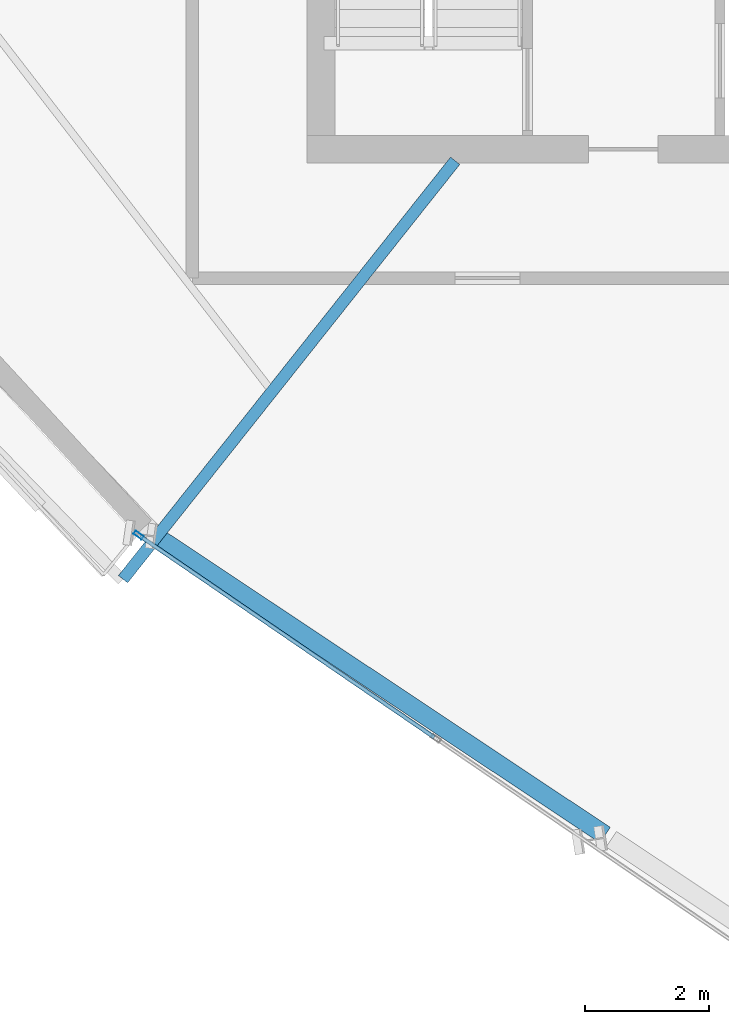
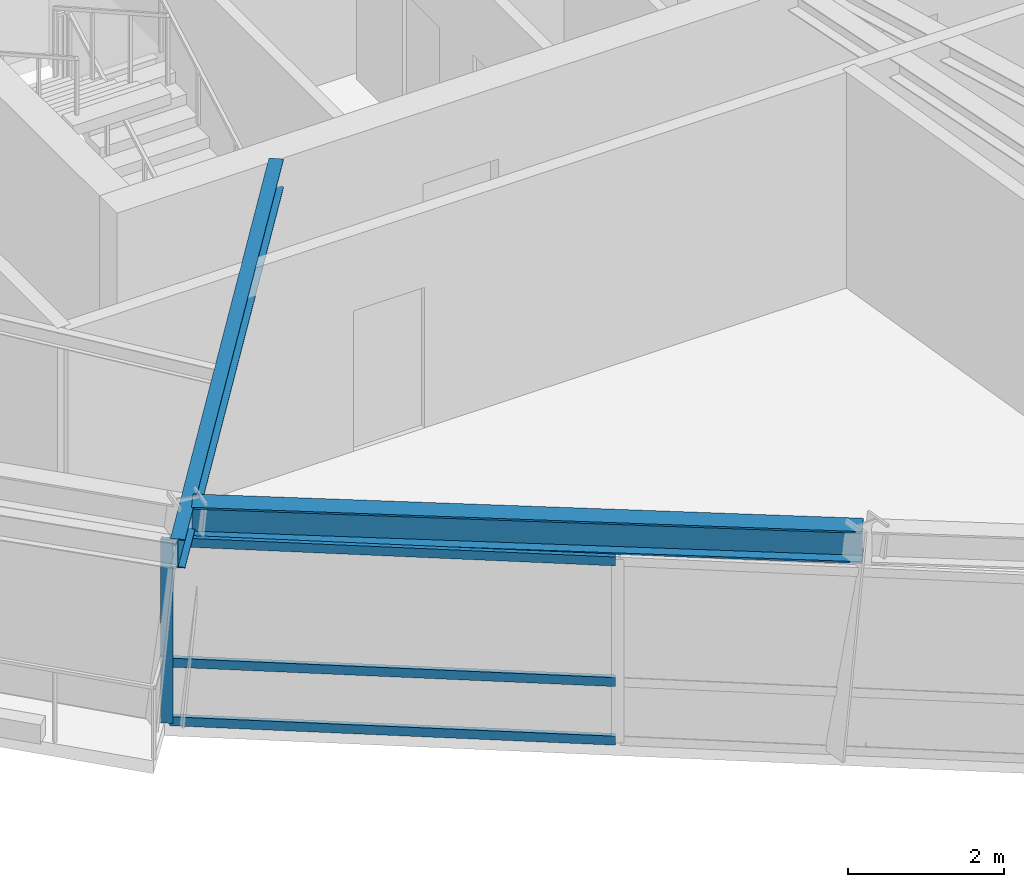
# One storey, part 2 of 13: 4 members, 2 beams, 1 element without a shape of its own.
"""IFC4 building model written with IfcOpenShell, lengths in metres."""

from ifc_helpers import new_model, si_unit, direction, frame, origin, origin_2d, place, context, subcontext, project, spatial, hollow_rectangle, i_section, extrude, source, transform, mapped, material, material_profile, profile_set, type_object, element, aggregate, save


model = new_model("IFC4")

# Units and contexts
model_context = context("Model", 3, precision=1e-05, world=origin(), true_north=direction((0.0, 1.0)))
body_context = subcontext(model_context, "Body", "Model", "MODEL_VIEW")
ifc_project = project(units=[si_unit("LENGTHUNIT", "METRE"), si_unit("AREAUNIT", "SQUARE_METRE"), si_unit("VOLUMEUNIT", "CUBIC_METRE"), si_unit("PLANEANGLEUNIT", "RADIAN"), si_unit("MASSUNIT", "GRAM", prefix="KILO")], contexts=[model_context])

# Site, building, storey
site_placement = place(None, origin())
site = spatial("IfcSite", under=ifc_project, at=site_placement, CompositionType="ELEMENT")
building_placement = place(site_placement, origin())
building = spatial("IfcBuilding", under=site, at=building_placement, Name="Olszyna Solenne Hotel", CompositionType="ELEMENT")
storey_placement = place(building_placement, frame((0.0, 0.0, 241.699951171875)))
storey = spatial("IfcBuildingStorey", under=building, at=storey_placement, Name="L64", CompositionType="ELEMENT", Elevation=241.699951171875)

# Beams
ifc_material_1 = material(Name="Steel S355J2", Category="steel")
ifc_material_profile_1 = material_profile(ifc_material_1, i_section(OverallWidth=0.300048828125, OverallDepth=0.5, WebThickness=0.014404296875, FlangeThickness=0.028076171875, at=origin_2d()), Name="HEB 500", Category="load-bearing")
ifc_profile_set_1 = profile_set([ifc_material_profile_1], Name="Steel S355J2")
beam_type_1 = type_object("IfcBeamType", Name="BM-S3", PredefinedType="BEAM", material=ifc_profile_set_1)
shared_shape_1 = source(origin(), body_context, "Body", "SweptSolid", [
    extrude(i_section(OverallWidth=0.300048828125, OverallDepth=0.5, WebThickness=0.014404296875, FlangeThickness=0.028076171875, at=origin_2d()), origin(), (0.0, 0.0, 1.0), 8.616943359375),
])
beam_1_placement = place(storey_placement, frame((27.272705078125, 13.00048828125, 3.130126953125), z_axis=(0.832694842941, -0.553732154149, 0.0), x_axis=(0.553732154149, 0.832694842941, 0.0)))
element("IfcBeam", 1, at=beam_1_placement, inside=storey, type_object=beam_type_1, Name="Perimeter spandrel beam BM-S3 B-L64-1889", PredefinedType="BEAM", context=body_context, shape_type="MappedRepresentation", body=[
    mapped(shared_shape_1, transform((0.0, 0.0, 0.0), x_axis=(1.0, 0.0, 0.0), y_axis=(0.0, 1.0, 0.0), z_axis=(0.0, 0.0, 1.0), scale=1.0)),
])
ifc_material_profile_2 = material_profile(ifc_material_1, i_section(OverallWidth=0.18994140625, OverallDepth=0.449951171875, WebThickness=0.009521484375, FlangeThickness=0.0146484375, at=origin_2d()), Name="IPE 450", Category="load-bearing")
ifc_profile_set_2 = profile_set([ifc_material_profile_2], Name="Steel S355J2")
beam_type_2 = type_object("IfcBeamType", Name="BM-F4", PredefinedType="BEAM", material=ifc_profile_set_2)
shared_shape_2 = source(origin(), body_context, "Body", "SweptSolid", [
    extrude(i_section(OverallWidth=0.18994140625, OverallDepth=0.449951171875, WebThickness=0.009521484375, FlangeThickness=0.0146484375, at=origin_2d()), origin(), (0.0, 0.0, 1.0), 8.604248046875),
])
beam_2_placement = place(storey_placement, frame((26.683349609375, 12.350341796875, 3.155029296875), z_axis=(0.621773636596, 0.78319700257, 0.0), x_axis=(-0.78319700257, 0.621773636596, 0.0)))
element("IfcBeam", 2, at=beam_2_placement, inside=storey, type_object=beam_type_2, Name="Radial floor girder BM-F4 B-L64-1900", PredefinedType="BEAM", context=body_context, shape_type="MappedRepresentation", body=[
    mapped(shared_shape_2, transform((0.0, 0.0, 0.0), x_axis=(1.0, 0.0, 0.0), y_axis=(0.0, 1.0, 0.0), z_axis=(0.0, 0.0, 1.0), scale=1.0)),
])

# Curtain wall, members
ifc_material_2 = material(Name="Anodised bronze aluminium", Category="aluminium")
curtain_wall_type = type_object("IfcCurtainWallType", Name="CW-SYS-4", PredefinedType="NOTDEFINED", material=ifc_material_2)
curtain_wall_placement = place(storey_placement, origin())
curtain_wall = element("IfcCurtainWall", 3, at=curtain_wall_placement, inside=storey, type_object=curtain_wall_type, Name="Unitised curtain wall CW-SYS-4 CW-L64-01", PredefinedType="NOTDEFINED")
ifc_material_profile_3 = material_profile(ifc_material_2, hollow_rectangle(XDim=0.06494140625, YDim=0.159912109375, WallThickness=0.00390625, at=origin_2d()), Name="MULL 160x65x4", Category="load-bearing")
ifc_profile_set_3 = profile_set([ifc_material_profile_3], Name="Anodised bronze aluminium")
member_type_1 = type_object("IfcMemberType", Name="CW-M3", PredefinedType="MULLION", material=ifc_profile_set_3)
shared_shape_3 = source(origin(), body_context, "Body", "SweptSolid", [
    extrude(hollow_rectangle(XDim=0.06494140625, YDim=0.159912109375, WallThickness=0.00390625, at=origin_2d()), origin(), (0.0, 0.0, 1.0), 2.8720703125),
])
member_1_placement = place(storey_placement, frame((26.933349609375, 13.060546875, 0.0), z_axis=(0.0, 0.0, 1.0), x_axis=(0.564479932101, 0.825446791898, 0.0)))
member_1 = element("IfcMember", 4, at=member_1_placement, type_object=member_type_1, Name="Curtain-wall mullion CW-M3 CM-L64-01-01", PredefinedType="MULLION", context=body_context, shape_type="MappedRepresentation", body=[
    mapped(shared_shape_3, transform((0.0, 0.0, 0.0), x_axis=(1.0, 0.0, 0.0), y_axis=(0.0, 1.0, 0.0), z_axis=(0.0, 0.0, 1.0), scale=1.0)),
])
ifc_material_profile_4 = material_profile(ifc_material_2, hollow_rectangle(XDim=0.06494140625, YDim=0.139892578125, WallThickness=0.00390625, at=origin_2d()), Name="TRAN 140x65x4", Category="load-bearing")
ifc_profile_set_4 = profile_set([ifc_material_profile_4], Name="Anodised bronze aluminium")
member_type_2 = type_object("IfcMemberType", Name="CW-T2", PredefinedType="USERDEFINED", material=ifc_profile_set_4)
shared_shape_4 = source(origin(), body_context, "Body", "SweptSolid", [
    extrude(hollow_rectangle(XDim=0.06494140625, YDim=0.139892578125, WallThickness=0.00390625, at=origin_2d()), origin(), (0.0, 0.0, 1.0), 5.73779296875),
])
member_2_placement = place(storey_placement, frame((26.960205078125, 13.042236328125, 0.032470703125), z_axis=(0.825459606454, -0.564461192743, 0.0), x_axis=(0.564461192743, 0.825459606454, 0.0)))
member_2 = element("IfcMember", 5, at=member_2_placement, type_object=member_type_2, Name="Curtain-wall transom CW-T2 CT-L64-01-01", ObjectType="TRANSOM", PredefinedType="USERDEFINED", context=body_context, shape_type="MappedRepresentation", body=[
    mapped(shared_shape_4, transform((0.0, 0.0, 0.0), x_axis=(1.0, 0.0, 0.0), y_axis=(0.0, 1.0, 0.0), z_axis=(0.0, 0.0, 1.0), scale=1.0)),
])
member_3_placement = place(storey_placement, frame((26.960205078125, 13.042236328125, 0.949951171875), z_axis=(0.825459606454, -0.564461192743, 0.0), x_axis=(0.564461192743, 0.825459606454, 0.0)))
member_3 = element("IfcMember", 6, at=member_3_placement, type_object=member_type_2, Name="Curtain-wall transom CW-T2 CT-L64-01-02", ObjectType="TRANSOM", PredefinedType="USERDEFINED", context=body_context, shape_type="MappedRepresentation", body=[
    mapped(shared_shape_4, transform((0.0, 0.0, 0.0), x_axis=(1.0, 0.0, 0.0), y_axis=(0.0, 1.0, 0.0), z_axis=(0.0, 0.0, 1.0), scale=1.0)),
])
member_4_placement = place(storey_placement, frame((26.960205078125, 13.042236328125, 2.839599609375), z_axis=(0.825459606454, -0.564461192743, 0.0), x_axis=(0.564461192743, 0.825459606454, 0.0)))
member_4 = element("IfcMember", 7, at=member_4_placement, type_object=member_type_2, Name="Curtain-wall transom CW-T2 CT-L64-01-03", ObjectType="TRANSOM", PredefinedType="USERDEFINED", context=body_context, shape_type="MappedRepresentation", body=[
    mapped(shared_shape_4, transform((0.0, 0.0, 0.0), x_axis=(1.0, 0.0, 0.0), y_axis=(0.0, 1.0, 0.0), z_axis=(0.0, 0.0, 1.0), scale=1.0)),
])
aggregate(curtain_wall, [member_1, member_2, member_3, member_4])

save(model, "model.ifc")
